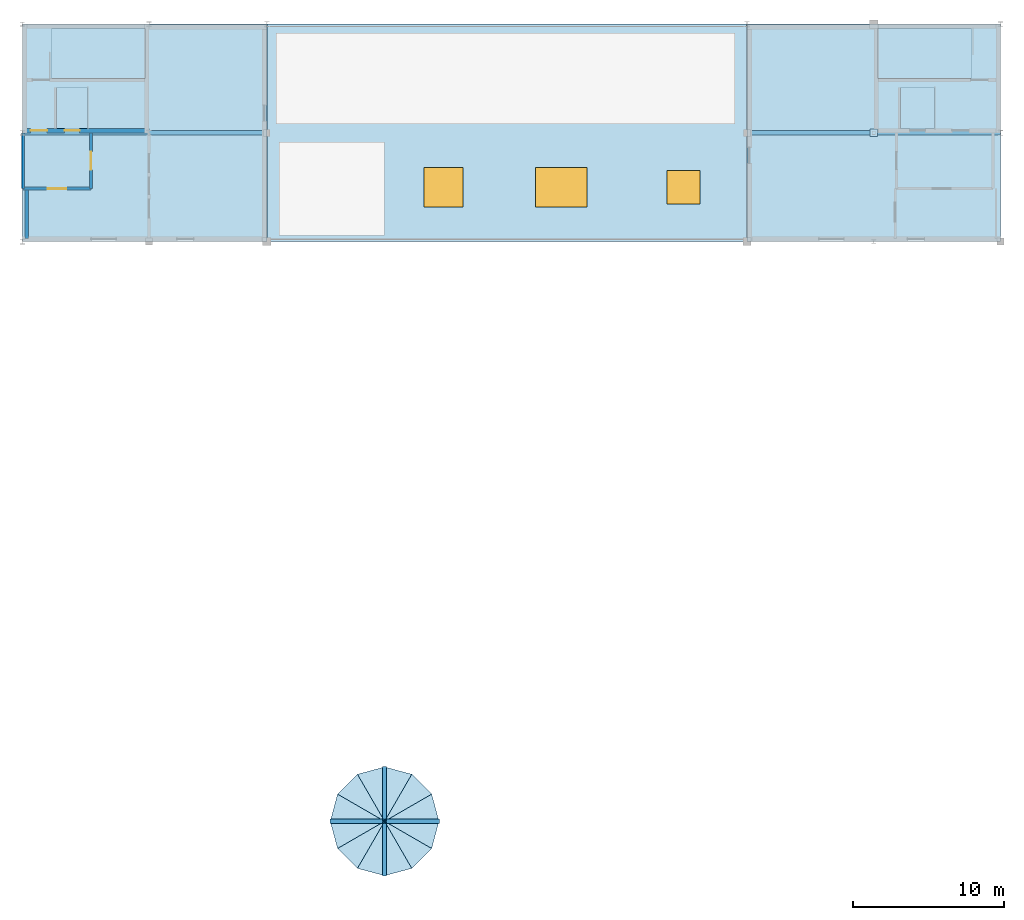
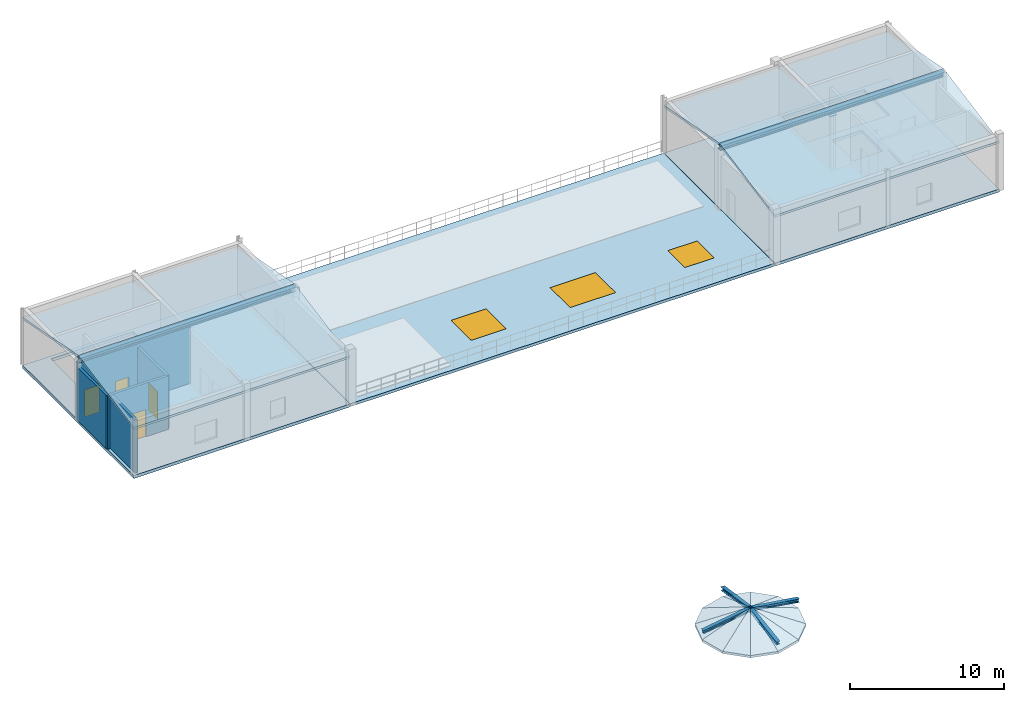
# One storey, part 3 of 5: 19 slabs, 5 walls, 4 doors, 4 members, 3 windows, 2 beams, 1 plate, 7 openings.
"""IFC4 building model written with IfcOpenShell, lengths in metres."""

from ifc_helpers import new_model, si_unit, derived_unit, direction, frame, frame_2d, origin, origin_2d, place, context, subcontext, project, spatial, polyline, rectangle, i_section, outline, extrude, polygons, material, layer, layer_set, material_profile, profile_set, type_object, element, fill, save


model = new_model("IFC4")

# Units and contexts
model_context = context("Model", 3, precision=1e-05, world=origin(), true_north=direction((0.0, 1.0)))
body_context = subcontext(model_context, "Body", "Model", "MODEL_VIEW")
ifc_project = project(units=[si_unit("LENGTHUNIT", "METRE"), si_unit("AREAUNIT", "SQUARE_METRE"), si_unit("VOLUMEUNIT", "CUBIC_METRE"), si_unit("PLANEANGLEUNIT", "RADIAN"), si_unit("MASSUNIT", "GRAM", prefix="KILO"), derived_unit("THERMALTRANSMITTANCEUNIT", [(si_unit("POWERUNIT", "WATT"), 1), (si_unit("AREAUNIT", "SQUARE_METRE"), -1), (si_unit("THERMODYNAMICTEMPERATUREUNIT", "KELVIN"), -1)])], contexts=[model_context])

# Site, building, storey
site_placement = place(None, origin())
site = spatial("IfcSite", under=ifc_project, at=site_placement, CompositionType="ELEMENT")
building_placement = place(site_placement, origin())
building = spatial("IfcBuilding", under=site, at=building_placement, Name="Yasenodar Specialist Clinic", CompositionType="ELEMENT")
storey_placement = place(building_placement, frame((0.0, 0.0, 29.39990234375)))
storey = spatial("IfcBuildingStorey", under=building, at=storey_placement, Name="RF", CompositionType="ELEMENT", Elevation=29.39990234375)

# Beams
ifc_material_1 = material(Name="Steel S355", Category="steel")
ifc_material_profile_1 = material_profile(ifc_material_1, i_section(OverallWidth=0.300048828125, OverallDepth=0.340087890625, WebThickness=0.011962890625, FlangeThickness=0.021484375, FilletRadius=0.027099609375, at=origin_2d()), Name="HEB 340")
ifc_profile_set_1 = profile_set([ifc_material_profile_1], Name="Steel S355")
beam_type = type_object("IfcBeamType", Name="BM-HEB340", PredefinedType="BEAM", material=ifc_profile_set_1)
beam_1_placement = place(storey_placement, frame((57.0, 104.39990234375, 4.800048828125), z_axis=(1.0, 0.0, 0.0), x_axis=(0.0, 1.0, 0.0)))
element("IfcBeam", 1, at=beam_1_placement, inside=storey, type_object=beam_type, Name="RF West Chhatri Ridge Girder", PredefinedType="BEAM", context=body_context, shape_type="SweptSolid", body=[
    extrude(i_section(OverallWidth=0.300048828125, OverallDepth=0.340087890625, WebThickness=0.011962890625, FlangeThickness=0.021484375, FilletRadius=0.027099609375, at=origin_2d()), origin(), (0.0, 0.0, 1.0), 16.199951171875),
])
beam_2_placement = place(storey_placement, frame((105.0, 104.39990234375, 4.800048828125), z_axis=(1.0, 0.0, 0.0), x_axis=(0.0, 1.0, 0.0)))
element("IfcBeam", 2, at=beam_2_placement, inside=storey, type_object=beam_type, Name="RF East Chhatri Ridge Girder", PredefinedType="BEAM", context=body_context, shape_type="SweptSolid", body=[
    extrude(i_section(OverallWidth=0.300048828125, OverallDepth=0.340087890625, WebThickness=0.011962890625, FlangeThickness=0.021484375, FilletRadius=0.027099609375, at=origin_2d()), origin(), (0.0, 0.0, 1.0), 16.800048828125),
])

# Members
ifc_material_profile_2 = material_profile(ifc_material_1, i_section(OverallWidth=0.280029296875, OverallDepth=0.27001953125, WebThickness=0.008056640625, FlangeThickness=0.012939453125, FilletRadius=0.02392578125, at=origin_2d()), Name="HEA 280")
ifc_profile_set_2 = profile_set([ifc_material_profile_2], Name="Steel S355")
member_type = type_object("IfcMemberType", Name="TR-CHD-HEA280", PredefinedType="CHORD", material=ifc_profile_set_2)
member_1_placement = place(storey_placement, frame((84.60009765625, 58.800048828125, 3.800048828125), z_axis=(-0.988528492606, 0.0, 0.151034497073), x_axis=(0.0, -1.0, 0.0)))
element("IfcMember", 3, at=member_1_placement, inside=storey, type_object=member_type, Name="Drum Chhatri Lantern Hip Rafter 01", PredefinedType="CHORD", context=body_context, shape_type="SweptSolid", body=[
    extrude(i_section(OverallWidth=0.280029296875, OverallDepth=0.27001953125, WebThickness=0.008056640625, FlangeThickness=0.012939453125, FilletRadius=0.02392578125, at=origin_2d()), origin(), (0.0, 0.0, 1.0), 3.641845703125),
])
member_2_placement = place(storey_placement, frame((81.0, 62.39990234375, 3.800048828125), z_axis=(0.0, -0.988526963243, 0.151044506489), x_axis=(1.0, 0.0, 0.0)))
element("IfcMember", 4, at=member_2_placement, inside=storey, type_object=member_type, Name="Drum Chhatri Lantern Hip Rafter 02", PredefinedType="CHORD", context=body_context, shape_type="SweptSolid", body=[
    extrude(i_section(OverallWidth=0.280029296875, OverallDepth=0.27001953125, WebThickness=0.008056640625, FlangeThickness=0.012939453125, FilletRadius=0.02392578125, at=origin_2d()), origin(), (0.0, 0.0, 1.0), 3.6416015625),
])
for number, where, z_axis, x_axis, name in (
    (5, (77.39990234375, 58.800048828125, 3.800048828125), (0.988528492606, 0.0, 0.151034497073), (0.0, 1.0, 0.0), "Drum Chhatri Lantern Hip Rafter 03"),
    (6, (81.0, 55.199951171875, 3.800048828125), (0.0, 0.988528492606, 0.151034497073), (-1.0, 0.0, 0.0), "Drum Chhatri Lantern Hip Rafter 04"),
):
    element("IfcMember", number, at=place(storey_placement, frame(where, z_axis=z_axis, x_axis=x_axis)), inside=storey, type_object=member_type, Name=name, PredefinedType="CHORD", context=body_context, shape_type="SweptSolid", body=[
        extrude(i_section(OverallWidth=0.280029296875, OverallDepth=0.27001953125, WebThickness=0.008056640625, FlangeThickness=0.012939453125, FilletRadius=0.02392578125, at=origin_2d()), origin(), (0.0, 0.0, 1.0), 3.641845703125),
    ])

# Plate
ifc_layer_1 = layer(ifc_material_1, 0.028076171875)
ifc_layer_set_1 = layer_set([ifc_layer_1], Name="Steel S355")
plate_type = type_object("IfcPlateType", Name="PL-STEEL-06", PredefinedType="USERDEFINED", material=ifc_layer_set_1)
plate_placement = place(storey_placement, frame((113.39990234375, 104.39990234375, 4.5), z_axis=(0.0, 0.0, 1.0), x_axis=(1.0, 0.0, 0.0)))
element("IfcPlate", 7, at=plate_placement, inside=storey, type_object=plate_type, Name="RF Hollow Column Top Cap Plate 018", ObjectType="CAP_PLATE", PredefinedType="USERDEFINED", context=body_context, shape_type="SweptSolid", body=[
    extrude(rectangle(XDim=0.47998046875, YDim=0.47998046875, at=origin_2d()), origin(), (0.0, 0.0, 1.0), 0.028076171875),
])

# Slabs
ifc_material_2 = material(Name="Concrete C30/37", Category="concrete")
ifc_layer_2 = layer(ifc_material_2, 0.239990234375)
ifc_layer_set_2 = layer_set([ifc_layer_2], Name="Concrete C30/37")
slab_type_1 = type_object("IfcSlabType", Name="SLB-FLR-240", PredefinedType="FLOOR", material=ifc_layer_set_2)
slab_1_placement = place(storey_placement, frame((0.0, 0.0, -0.239990234375)))
element("IfcSlab", 8, at=slab_1_placement, inside=storey, type_object=slab_type_1, Name="RF V5 structural slab", PredefinedType="FLOOR", context=body_context, shape_type="SweptSolid", body=[
    extrude(outline(polyline([(57.0, 97.199951171875), (73.199951171875, 97.199951171875), (73.199951171875, 111.60009765625), (57.0, 111.60009765625), (57.0, 97.199951171875)]), holes=[polyline([(58.9599609375, 108.010009765625), (65.1201171875, 108.010009765625), (65.1201171875, 111.31005859375), (58.9599609375, 111.31005859375), (58.9599609375, 108.010009765625)]), polyline([(59.300048828125, 104.699951171875), (61.300048828125, 104.699951171875), (61.300048828125, 107.39990234375), (59.300048828125, 107.39990234375), (59.300048828125, 104.699951171875)])]), origin(), (0.0, 0.0, 1.0), 0.239990234375),
])
slab_2_placement = place(storey_placement, frame((0.0, 0.0, -0.239990234375)))
element("IfcSlab", 9, at=slab_2_placement, inside=storey, type_object=slab_type_1, Name="RF V5 structural slab", PredefinedType="FLOOR", context=body_context, shape_type="SweptSolid", body=[
    extrude(outline(polyline([(105.0, 111.60009765625), (121.800048828125, 111.60009765625), (121.800048828125, 97.199951171875), (105.0, 97.199951171875), (105.0, 111.60009765625)]), holes=[polyline([(119.840087890625, 108.010009765625), (119.840087890625, 111.31005859375), (113.679931640625, 111.31005859375), (113.679931640625, 108.010009765625), (119.840087890625, 108.010009765625)]), polyline([(117.39990234375, 104.699951171875), (117.39990234375, 107.39990234375), (115.199951171875, 107.39990234375), (115.199951171875, 104.699951171875), (117.39990234375, 104.699951171875)])]), origin(), (0.0, 0.0, 1.0), 0.239990234375),
])
ifc_layer_3 = layer(ifc_material_2, 0.1650390625)
ifc_layer_set_3 = layer_set([ifc_layer_3], Name="Concrete C30/37")
slab_type_2 = type_object("IfcSlabType", Name="SLB-ROOF-165", PredefinedType="ROOF", material=ifc_layer_set_3)
slab_3_placement = place(storey_placement, origin())
element("IfcSlab", 10, at=slab_3_placement, inside=storey, type_object=slab_type_2, Name="Drum V1 Pitched Chhatri Lantern Facet 01", PredefinedType="ROOF", context=body_context, shape_type="Tessellation", body=[
    polygons([(84.60009765625, 58.800048828125, 3.150146484375), (84.11767578125, 60.60009765625, 3.150146484375), (81.0, 58.800048828125, 4.5), (84.60009765625, 58.800048828125, 2.9731510270611636), (84.11767578125, 60.60009765625, 2.9731510270611636), (81.0, 58.800048828125, 4.323004542686164)], [[[1, 2, 3]], [[6, 5, 4]], [[4, 5, 2, 1]], [[5, 6, 3, 2]], [[6, 4, 1, 3]]], closed=True),
])
slab_4_placement = place(storey_placement, origin())
element("IfcSlab", 11, at=slab_4_placement, inside=storey, type_object=slab_type_2, Name="Drum V1 Pitched Chhatri Lantern Facet 02", PredefinedType="ROOF", context=body_context, shape_type="Tessellation", body=[
    polygons([(84.11767578125, 60.60009765625, 3.150146484375), (82.800048828125, 61.917724609375, 3.150146484375), (81.0, 58.800048828125, 4.5), (84.11767578125, 60.60009765625, 2.973150877320535), (82.800048828125, 61.917724609375, 2.973150877320535), (81.0, 58.800048828125, 4.323004392945535)], [[[1, 2, 3]], [[6, 5, 4]], [[4, 5, 2, 1]], [[5, 6, 3, 2]], [[6, 4, 1, 3]]], closed=True),
])
slab_5_placement = place(storey_placement, origin())
element("IfcSlab", 12, at=slab_5_placement, inside=storey, type_object=slab_type_2, Name="Drum V1 Pitched Chhatri Lantern Facet 03", PredefinedType="ROOF", context=body_context, shape_type="Tessellation", body=[
    polygons([(82.800048828125, 61.917724609375, 3.150146484375), (81.0, 62.39990234375, 3.150146484375), (81.0, 58.800048828125, 4.5), (82.800048828125, 61.917724609375, 2.9731502410457935), (81.0, 62.39990234375, 2.9731502410457935), (81.0, 58.800048828125, 4.3230037566707935)], [[[1, 2, 3]], [[6, 5, 4]], [[4, 5, 2, 1]], [[5, 6, 3, 2]], [[6, 4, 1, 3]]], closed=True),
])
slab_6_placement = place(storey_placement, origin())
element("IfcSlab", 13, at=slab_6_placement, inside=storey, type_object=slab_type_2, Name="Drum V1 Pitched Chhatri Lantern Facet 04", PredefinedType="ROOF", context=body_context, shape_type="Tessellation", body=[
    polygons([(81.0, 62.39990234375, 3.150146484375), (79.199951171875, 61.917724609375, 3.150146484375), (81.0, 58.800048828125, 4.5), (81.0, 62.39990234375, 2.9731502410457935), (79.199951171875, 61.917724609375, 2.9731502410457935), (81.0, 58.800048828125, 4.3230037566707935)], [[[1, 2, 3]], [[6, 5, 4]], [[4, 5, 2, 1]], [[5, 6, 3, 2]], [[6, 4, 1, 3]]], closed=True),
])
slab_7_placement = place(storey_placement, origin())
element("IfcSlab", 14, at=slab_7_placement, inside=storey, type_object=slab_type_2, Name="Drum V1 Pitched Chhatri Lantern Facet 05", PredefinedType="ROOF", context=body_context, shape_type="Tessellation", body=[
    polygons([(79.199951171875, 61.917724609375, 3.150146484375), (77.88232421875, 60.60009765625, 3.150146484375), (81.0, 58.800048828125, 4.5), (79.199951171875, 61.917724609375, 2.973150877320535), (77.88232421875, 60.60009765625, 2.973150877320535), (81.0, 58.800048828125, 4.323004392945535)], [[[1, 2, 3]], [[6, 5, 4]], [[4, 5, 2, 1]], [[5, 6, 3, 2]], [[6, 4, 1, 3]]], closed=True),
])
slab_8_placement = place(storey_placement, origin())
element("IfcSlab", 15, at=slab_8_placement, inside=storey, type_object=slab_type_2, Name="Drum V1 Pitched Chhatri Lantern Facet 06", PredefinedType="ROOF", context=body_context, shape_type="Tessellation", body=[
    polygons([(77.88232421875, 60.60009765625, 3.150146484375), (77.39990234375, 58.800048828125, 3.150146484375), (81.0, 58.800048828125, 4.5), (77.88232421875, 60.60009765625, 2.9731510270611636), (77.39990234375, 58.800048828125, 2.9731510270611636), (81.0, 58.800048828125, 4.323004542686164)], [[[1, 2, 3]], [[6, 5, 4]], [[4, 5, 2, 1]], [[5, 6, 3, 2]], [[6, 4, 1, 3]]], closed=True),
])
slab_9_placement = place(storey_placement, origin())
element("IfcSlab", 16, at=slab_9_placement, inside=storey, type_object=slab_type_2, Name="Drum V1 Pitched Chhatri Lantern Facet 07", PredefinedType="ROOF", context=body_context, shape_type="Tessellation", body=[
    polygons([(77.39990234375, 58.800048828125, 3.150146484375), (77.88232421875, 57.0, 3.150146484375), (81.0, 58.800048828125, 4.5), (77.39990234375, 58.800048828125, 2.9731510270611636), (77.88232421875, 57.0, 2.9731510270611636), (81.0, 58.800048828125, 4.323004542686164)], [[[1, 2, 3]], [[6, 5, 4]], [[4, 5, 2, 1]], [[5, 6, 3, 2]], [[6, 4, 1, 3]]], closed=True),
])
slab_10_placement = place(storey_placement, origin())
element("IfcSlab", 17, at=slab_10_placement, inside=storey, type_object=slab_type_2, Name="Drum V1 Pitched Chhatri Lantern Facet 08", PredefinedType="ROOF", context=body_context, shape_type="Tessellation", body=[
    polygons([(77.88232421875, 57.0, 3.150146484375), (79.199951171875, 55.682373046875, 3.150146484375), (81.0, 58.800048828125, 4.5), (77.88232421875, 57.0, 2.973150877320535), (79.199951171875, 55.682373046875, 2.973150877320535), (81.0, 58.800048828125, 4.323004392945535)], [[[1, 2, 3]], [[6, 5, 4]], [[4, 5, 2, 1]], [[5, 6, 3, 2]], [[6, 4, 1, 3]]], closed=True),
])
slab_11_placement = place(storey_placement, origin())
element("IfcSlab", 18, at=slab_11_placement, inside=storey, type_object=slab_type_2, Name="Drum V1 Pitched Chhatri Lantern Facet 09", PredefinedType="ROOF", context=body_context, shape_type="Tessellation", body=[
    polygons([(79.199951171875, 55.682373046875, 3.150146484375), (81.0, 55.199951171875, 3.150146484375), (81.0, 58.800048828125, 4.5), (79.199951171875, 55.682373046875, 2.9731510270611636), (81.0, 55.199951171875, 2.9731510270611636), (81.0, 58.800048828125, 4.323004542686164)], [[[1, 2, 3]], [[6, 5, 4]], [[4, 5, 2, 1]], [[5, 6, 3, 2]], [[6, 4, 1, 3]]], closed=True),
])
slab_12_placement = place(storey_placement, origin())
element("IfcSlab", 19, at=slab_12_placement, inside=storey, type_object=slab_type_2, Name="Drum V1 Pitched Chhatri Lantern Facet 10", PredefinedType="ROOF", context=body_context, shape_type="Tessellation", body=[
    polygons([(81.0, 55.199951171875, 3.150146484375), (82.800048828125, 55.682373046875, 3.150146484375), (81.0, 58.800048828125, 4.5), (81.0, 55.199951171875, 2.9731510270611636), (82.800048828125, 55.682373046875, 2.9731510270611636), (81.0, 58.800048828125, 4.323004542686164)], [[[1, 2, 3]], [[6, 5, 4]], [[4, 5, 2, 1]], [[5, 6, 3, 2]], [[6, 4, 1, 3]]], closed=True),
])
slab_13_placement = place(storey_placement, origin())
element("IfcSlab", 20, at=slab_13_placement, inside=storey, type_object=slab_type_2, Name="Drum V1 Pitched Chhatri Lantern Facet 11", PredefinedType="ROOF", context=body_context, shape_type="Tessellation", body=[
    polygons([(82.800048828125, 55.682373046875, 3.150146484375), (84.11767578125, 57.0, 3.150146484375), (81.0, 58.800048828125, 4.5), (82.800048828125, 55.682373046875, 2.973150877320535), (84.11767578125, 57.0, 2.973150877320535), (81.0, 58.800048828125, 4.323004392945535)], [[[1, 2, 3]], [[6, 5, 4]], [[4, 5, 2, 1]], [[5, 6, 3, 2]], [[6, 4, 1, 3]]], closed=True),
])
slab_14_placement = place(storey_placement, origin())
element("IfcSlab", 21, at=slab_14_placement, inside=storey, type_object=slab_type_2, Name="Drum V1 Pitched Chhatri Lantern Facet 12", PredefinedType="ROOF", context=body_context, shape_type="Tessellation", body=[
    polygons([(84.11767578125, 57.0, 3.150146484375), (84.60009765625, 58.800048828125, 3.150146484375), (81.0, 58.800048828125, 4.5), (84.11767578125, 57.0, 2.9731510270611636), (84.60009765625, 58.800048828125, 2.9731510270611636), (81.0, 58.800048828125, 4.323004542686164)], [[[1, 2, 3]], [[6, 5, 4]], [[4, 5, 2, 1]], [[5, 6, 3, 2]], [[6, 4, 1, 3]]], closed=True),
])
ifc_layer_4 = layer(ifc_material_2, 0.179931640625)
ifc_layer_set_4 = layer_set([ifc_layer_4], Name="Concrete C30/37")
slab_type_3 = type_object("IfcSlabType", Name="SLB-ROOF-180", PredefinedType="ROOF", material=ifc_layer_set_4)
slab_15_placement = place(storey_placement, origin())
element("IfcSlab", 22, at=slab_15_placement, inside=storey, type_object=slab_type_3, Name="RF West Chhatri Pitched Roof S Slope", PredefinedType="ROOF", context=body_context, shape_type="Tessellation", body=[
    polygons([(57.0, 97.199951171875, 3.800048828125), (73.199951171875, 97.199951171875, 3.800048828125), (73.199951171875, 104.39990234375, 5.150146484375), (57.0, 104.39990234375, 5.150146484375), (57.0, 97.199951171875, 3.616911604293257), (73.199951171875, 97.199951171875, 3.616911604293257), (73.199951171875, 104.39990234375, 4.967009260543257), (57.0, 104.39990234375, 4.967009260543257)], [[[4, 1, 2]], [[2, 3, 4]], [[6, 5, 8]], [[8, 7, 6]], [[5, 6, 2, 1]], [[6, 7, 3, 2]], [[7, 8, 4, 3]], [[8, 5, 1, 4]]], closed=True),
])
slab_16_placement = place(storey_placement, origin())
element("IfcSlab", 23, at=slab_16_placement, inside=storey, type_object=slab_type_3, Name="RF West Chhatri Pitched Roof N Slope", PredefinedType="ROOF", context=body_context, shape_type="Tessellation", body=[
    polygons([(57.0, 104.39990234375, 5.150146484375), (73.199951171875, 104.39990234375, 5.150146484375), (73.199951171875, 111.60009765625, 3.800048828125), (57.0, 111.60009765625, 3.800048828125), (57.0, 104.39990234375, 4.96700947146838), (73.199951171875, 104.39990234375, 4.96700947146838), (73.199951171875, 111.60009765625, 3.61691181521838), (57.0, 111.60009765625, 3.61691181521838)], [[[4, 1, 2]], [[2, 3, 4]], [[6, 5, 8]], [[8, 7, 6]], [[5, 6, 2, 1]], [[6, 7, 3, 2]], [[7, 8, 4, 3]], [[8, 5, 1, 4]]], closed=True),
])
slab_17_placement = place(storey_placement, origin())
element("IfcSlab", 24, at=slab_17_placement, inside=storey, type_object=slab_type_3, Name="RF East Chhatri Pitched Roof S Slope", PredefinedType="ROOF", context=body_context, shape_type="Tessellation", body=[
    polygons([(105.0, 97.199951171875, 3.800048828125), (121.800048828125, 97.199951171875, 3.800048828125), (121.800048828125, 104.39990234375, 5.150146484375), (105.0, 104.39990234375, 5.150146484375), (105.0, 97.199951171875, 3.616911604293257), (121.800048828125, 97.199951171875, 3.616911604293257), (121.800048828125, 104.39990234375, 4.967009260543257), (105.0, 104.39990234375, 4.967009260543257)], [[[4, 1, 2]], [[2, 3, 4]], [[6, 5, 8]], [[8, 7, 6]], [[5, 6, 2, 1]], [[6, 7, 3, 2]], [[7, 8, 4, 3]], [[8, 5, 1, 4]]], closed=True),
])
slab_18_placement = place(storey_placement, origin())
element("IfcSlab", 25, at=slab_18_placement, inside=storey, type_object=slab_type_3, Name="RF East Chhatri Pitched Roof N Slope", PredefinedType="ROOF", context=body_context, shape_type="Tessellation", body=[
    polygons([(105.0, 104.39990234375, 5.150146484375), (121.800048828125, 104.39990234375, 5.150146484375), (121.800048828125, 111.60009765625, 3.800048828125), (105.0, 111.60009765625, 3.800048828125), (105.0, 104.39990234375, 4.96700947146838), (121.800048828125, 104.39990234375, 4.96700947146838), (121.800048828125, 111.60009765625, 3.61691181521838), (105.0, 111.60009765625, 3.61691181521838)], [[[4, 1, 2]], [[2, 3, 4]], [[6, 5, 8]], [[8, 7, 6]], [[5, 6, 2, 1]], [[6, 7, 3, 2]], [[7, 8, 4, 3]], [[8, 5, 1, 4]]], closed=True),
])

# Slab, openings, windows
ifc_layer_5 = layer(ifc_material_2, 0.22509765625)
ifc_layer_set_5 = layer_set([ifc_layer_5], Name="Concrete C30/37")
slab_type_4 = type_object("IfcSlabType", Name="SLB-ROOF-225", PredefinedType="ROOF", material=ifc_layer_set_5)
slab_19_placement = place(storey_placement, frame((0.0, 0.0, -0.224853515625)))
slab_19 = element("IfcSlab", 26, at=slab_19_placement, inside=storey, type_object=slab_type_4, Name="V5 Central Research Roof Slab", PredefinedType="ROOF", context=body_context, shape_type="SweptSolid", body=[
    extrude(outline(polyline([(73.215087890625, 97.199951171875), (73.215087890625, 111.60009765625), (104.985107421875, 111.60009765625), (104.985107421875, 97.199951171875), (73.215087890625, 97.199951171875)]), holes=[polyline([(86.199951171875, 99.5), (86.199951171875, 102.10009765625), (83.60009765625, 102.10009765625), (83.60009765625, 99.5), (86.199951171875, 99.5)]), polyline([(94.39990234375, 99.5), (94.39990234375, 102.10009765625), (91.0, 102.10009765625), (91.0, 99.5), (94.39990234375, 99.5)]), polyline([(101.89990234375, 99.699951171875), (101.89990234375, 101.89990234375), (99.699951171875, 101.89990234375), (99.699951171875, 99.699951171875), (101.89990234375, 99.699951171875)])]), origin(), (0.0, 0.0, 1.0), 0.224853515625),
])
opening_1_placement = place(slab_19_placement, frame((84.89990234375, 100.800048828125, -0.010009765625)))
opening_1 = element("IfcOpeningElement", 27, at=opening_1_placement, cuts=slab_19, Name="Opening SK-02", PredefinedType="OPENING", context=body_context, shape_type="SweptSolid", body=[
    extrude(rectangle(XDim=2.60009765625, YDim=2.60009765625, at=origin_2d()), origin(), (0.0, 0.0, 1.0), 0.244873046875),
])
opening_2_placement = place(slab_19_placement, frame((92.699951171875, 100.800048828125, -0.010009765625)))
opening_2 = element("IfcOpeningElement", 28, at=opening_2_placement, cuts=slab_19, Name="Opening SK-04", PredefinedType="OPENING", context=body_context, shape_type="SweptSolid", body=[
    extrude(rectangle(XDim=3.39990234375, YDim=2.60009765625, at=origin_2d()), origin(), (0.0, 0.0, 1.0), 0.244873046875),
])
opening_3_placement = place(slab_19_placement, frame((100.800048828125, 100.800048828125, -0.010009765625)))
opening_3 = element("IfcOpeningElement", 29, at=opening_3_placement, cuts=slab_19, Name="Opening SK-01", PredefinedType="OPENING", context=body_context, shape_type="SweptSolid", body=[
    extrude(rectangle(XDim=2.199951171875, YDim=2.199951171875, at=origin_2d()), origin(), (0.0, 0.0, 1.0), 0.244873046875),
])
ifc_material_3 = material(Name="Triple Laminated Low-E Skylight Glazing", Category="glass")
window_type_1 = type_object("IfcWindowType", Name="SKY-RF-01", PartitioningType="SINGLE_PANEL", PredefinedType="SKYLIGHT", material=ifc_material_3)
window_1_placement = place(slab_19_placement, frame((100.800048828125, 100.800048828125, 0.1748046875)))
window_1 = element("IfcWindow", 30, at=window_1_placement, inside=storey, type_object=window_type_1, Name="RF Triple-Glazed Roof Skylight 16", OverallHeight=2.199951171875, OverallWidth=2.199951171875, PartitioningType="SINGLE_PANEL", PredefinedType="SKYLIGHT", context=body_context, shape_type="SweptSolid", body=[
    extrude(rectangle(XDim=2.199951171875, YDim=2.199951171875, at=origin_2d()), origin(), (0.0, 0.0, 1.0), 0.050048828125),
])
fill(opening_3, window_1)
window_type_2 = type_object("IfcWindowType", Name="SKY-RF-02", PartitioningType="SINGLE_PANEL", PredefinedType="SKYLIGHT", material=ifc_material_3)
window_2_placement = place(slab_19_placement, frame((84.89990234375, 100.800048828125, 0.1748046875)))
window_2 = element("IfcWindow", 31, at=window_2_placement, inside=storey, type_object=window_type_2, Name="RF Triple-Glazed Roof Skylight 14", OverallHeight=2.60009765625, OverallWidth=2.60009765625, PartitioningType="SINGLE_PANEL", PredefinedType="SKYLIGHT", context=body_context, shape_type="SweptSolid", body=[
    extrude(rectangle(XDim=2.60009765625, YDim=2.60009765625, at=origin_2d()), origin(), (0.0, 0.0, 1.0), 0.050048828125),
])
fill(opening_1, window_2)
window_type_3 = type_object("IfcWindowType", Name="SKY-RF-04", PartitioningType="SINGLE_PANEL", PredefinedType="SKYLIGHT", material=ifc_material_3)
window_3_placement = place(slab_19_placement, frame((92.699951171875, 100.800048828125, 0.1748046875)))
window_3 = element("IfcWindow", 32, at=window_3_placement, inside=storey, type_object=window_type_3, Name="RF Triple-Glazed Roof Skylight 15", OverallHeight=2.60009765625, OverallWidth=3.39990234375, PartitioningType="SINGLE_PANEL", PredefinedType="SKYLIGHT", context=body_context, shape_type="SweptSolid", body=[
    extrude(rectangle(XDim=3.39990234375, YDim=2.60009765625, at=origin_2d()), origin(), (0.0, 0.0, 1.0), 0.050048828125),
])
fill(opening_2, window_3)

# Wall, opening, door
ifc_material_4 = material(Name="Fire-Rated Gypsum and Mineral-Wool Wall")
ifc_layer_6 = layer(ifc_material_4, 0.195068359375)
ifc_layer_set_6 = layer_set([ifc_layer_6], Name="Fire-Rated Gypsum and Mineral-Wool Wall")
wall_type_1 = type_object("IfcWallType", Name="IW-LOBBY-195", PredefinedType="PARTITIONING", material=ifc_layer_set_6)
wall_1_placement = place(storey_placement, frame((57.050048828125, 100.699951171875, 0.0), z_axis=(0.0, 0.0, 1.0), x_axis=(1.0, 0.0, 0.0)))
wall_1 = element("IfcWall", 33, at=wall_1_placement, inside=storey, type_object=wall_type_1, Name="RF C4 Firefighting Lobby South Wall", PredefinedType="PARTITIONING", context=body_context, shape_type="SweptSolid", body=[
    extrude(rectangle(XDim=4.5, YDim=0.195068359375, at=frame_2d((2.25, 0.0))), origin(), (0.0, 0.0, 1.0), 4.22998046875),
])
opening_4_placement = place(wall_1_placement, frame((1.64990234375, 0.0, 0.0)))
opening_4 = element("IfcOpeningElement", 34, at=opening_4_placement, cuts=wall_1, Name="Opening FD-02", PredefinedType="OPENING", context=body_context, shape_type="SweptSolid", body=[
    extrude(rectangle(XDim=1.199951171875, YDim=2.14990234375, at=frame_2d((0.60009765625, 1.074951171875))), frame((0.0, 0.107421875, 0.0), z_axis=(0.0, -1.0, 0.0), x_axis=(1.0, 0.0, 0.0)), (0.0, 0.0, 1.0), 0.215087890625),
])
ifc_material_5 = material(Name="Fire-Rated Insulated Steel Door", Category="steel")
door_type_1 = type_object("IfcDoorType", Name="DR-FD-120", OperationType="NOTDEFINED", PredefinedType="DOOR", material=ifc_material_5)
door_1_placement = place(opening_4_placement, origin())
door_1 = element("IfcDoor", 35, at=door_1_placement, inside=storey, type_object=door_type_1, Name="RF C4 Firefighting Lobby Door", OperationType="SINGLE_SWING_RIGHT", OverallHeight=2.14990234375, OverallWidth=1.199951171875, PredefinedType="DOOR", context=body_context, shape_type="SweptSolid", body=[
    extrude(rectangle(XDim=1.199951171875, YDim=2.14990234375, at=frame_2d((0.60009765625, 1.074951171875))), frame((0.0, 0.02490234375, 0.0), z_axis=(0.0, -1.0, 0.0), x_axis=(1.0, 0.0, 0.0)), (0.0, 0.0, 1.0), 0.050048828125),
])
fill(opening_4, door_1)

wall_2_placement = place(storey_placement, frame((61.550048828125, 100.699951171875, 0.0), z_axis=(0.0, 0.0, 1.0), x_axis=(0.0, 1.0, 0.0)))
wall_2 = element("IfcWall", 36, at=wall_2_placement, inside=storey, type_object=wall_type_1, Name="RF C4 Firefighting Lobby East Wall", PredefinedType="PARTITIONING", context=body_context, shape_type="SweptSolid", body=[
    extrude(rectangle(XDim=3.699951171875, YDim=0.195068359375, at=frame_2d((1.85009765625, 0.0))), origin(), (0.0, 0.0, 1.0), 4.22998046875),
])
opening_5_placement = place(wall_2_placement, frame((1.25, 0.0, 0.0)))
opening_5 = element("IfcOpeningElement", 37, at=opening_5_placement, cuts=wall_2, Name="Opening FD-02", PredefinedType="OPENING", context=body_context, shape_type="SweptSolid", body=[
    extrude(rectangle(XDim=1.199951171875, YDim=2.14990234375, at=frame_2d((0.60009765625, 1.074951171875))), frame((0.0, 0.107421875, 0.0), z_axis=(0.0, -1.0, 0.0), x_axis=(1.0, 0.0, 0.0)), (0.0, 0.0, 1.0), 0.215087890625),
])
door_2_placement = place(opening_5_placement, origin())
door_2 = element("IfcDoor", 38, at=door_2_placement, inside=storey, type_object=door_type_1, Name="RF Chilled Water Booster Pump Room Door", OperationType="SINGLE_SWING_RIGHT", OverallHeight=2.14990234375, OverallWidth=1.199951171875, PredefinedType="DOOR", context=body_context, shape_type="SweptSolid", body=[
    extrude(rectangle(XDim=1.199951171875, YDim=2.14990234375, at=frame_2d((0.60009765625, 1.074951171875))), frame((0.0, 0.02490234375, 0.0), z_axis=(0.0, -1.0, 0.0), x_axis=(1.0, 0.0, 0.0)), (0.0, 0.0, 1.0), 0.050048828125),
])
fill(opening_5, door_2)

# Walls
wall_3_placement = place(storey_placement, frame((57.050048828125, 100.699951171875, 0.0), z_axis=(0.0, 0.0, 1.0), x_axis=(0.0, 1.0, 0.0)))
element("IfcWall", 39, at=wall_3_placement, inside=storey, type_object=wall_type_1, Name="RF C4 Firefighting Lobby West Wall", PredefinedType="PARTITIONING", context=body_context, shape_type="SweptSolid", body=[
    extrude(rectangle(XDim=3.699951171875, YDim=0.195068359375, at=frame_2d((1.85009765625, 0.0))), origin(), (0.0, 0.0, 1.0), 4.22998046875),
])
ifc_material_6 = material(Name="Aerated Concrete Blockwork Fire Shaft Wall", Category="masonry")
ifc_layer_7 = layer(ifc_material_6, 0.205078125)
ifc_layer_set_7 = layer_set([ifc_layer_7], Name="Aerated Concrete Blockwork Fire Shaft Wall")
wall_type_2 = type_object("IfcWallType", Name="IW-SHAFT-205", PredefinedType="PARTITIONING", material=ifc_layer_set_7)
wall_4_placement = place(storey_placement, frame((57.300048828125, 97.39990234375, 0.0), z_axis=(0.0, 0.0, 1.0), x_axis=(0.0, 1.0, 0.0)))
element("IfcWall", 40, at=wall_4_placement, inside=storey, type_object=wall_type_2, Name="RF Smoke Extract Fan Room Partition", PredefinedType="PARTITIONING", context=body_context, shape_type="SweptSolid", body=[
    extrude(rectangle(XDim=3.2001953125, YDim=0.205078125, at=frame_2d((1.60009765625, 0.0))), origin(), (0.0, 0.0, 1.0), 4.22998046875),
])

# Wall, openings, doors
ifc_material_7 = material(Name="Concrete C35/45", Category="concrete")
ifc_layer_8 = layer(ifc_material_7, 0.300048828125)
ifc_layer_set_8 = layer_set([ifc_layer_8], Name="Concrete C35/45")
wall_type_3 = type_object("IfcWallType", Name="WL-CORE-300", PredefinedType="SHEAR", material=ifc_layer_set_8)
wall_5_placement = place(storey_placement, frame((57.0, 104.550048828125, 0.0), z_axis=(0.0, 0.0, 1.0), x_axis=(1.0, 0.0, 0.0)))
wall_5 = element("IfcWall", 41, at=wall_5_placement, inside=storey, type_object=wall_type_3, Name="RF Core C4 South Shear Wall", PredefinedType="SHEAR", context=body_context, shape_type="SweptSolid", body=[
    extrude(rectangle(XDim=8.39990234375, YDim=0.300048828125, at=frame_2d((4.199951171875, 0.0))), origin(), (0.0, 0.0, 1.0), 4.5),
])
opening_6_placement = place(wall_5_placement, frame((0.550048828125, 0.0, 0.0)))
opening_6 = element("IfcOpeningElement", 42, at=opening_6_placement, cuts=wall_5, Name="Opening FD-01", PredefinedType="OPENING", context=body_context, shape_type="SweptSolid", body=[
    extrude(rectangle(XDim=1.10009765625, YDim=2.14990234375, at=frame_2d((0.550048828125, 1.074951171875))), frame((0.0, 0.16015625, 0.0), z_axis=(0.0, -1.0, 0.0), x_axis=(1.0, 0.0, 0.0)), (0.0, 0.0, 1.0), 0.320068359375),
])
opening_7_placement = place(wall_5_placement, frame((2.800048828125, 0.0, 0.0)))
opening_7 = element("IfcOpeningElement", 43, at=opening_7_placement, cuts=wall_5, Name="Opening LD-01", PredefinedType="OPENING", context=body_context, shape_type="SweptSolid", body=[
    extrude(rectangle(XDim=1.0, YDim=2.10009765625, at=frame_2d((0.5, 1.050048828125))), frame((0.0, 0.16015625, 0.0), z_axis=(0.0, -1.0, 0.0), x_axis=(1.0, 0.0, 0.0)), (0.0, 0.0, 1.0), 0.320068359375),
])
door_type_2 = type_object("IfcDoorType", Name="DR-FD-110", OperationType="NOTDEFINED", PredefinedType="DOOR", material=ifc_material_5)
door_3_placement = place(opening_6_placement, origin())
door_3 = element("IfcDoor", 44, at=door_3_placement, inside=storey, type_object=door_type_2, Name="RF Stair ST-04 Vestibule Door", OperationType="SINGLE_SWING_LEFT", OverallHeight=2.14990234375, OverallWidth=1.10009765625, PredefinedType="DOOR", context=body_context, shape_type="SweptSolid", body=[
    extrude(rectangle(XDim=1.10009765625, YDim=2.14990234375, at=frame_2d((0.550048828125, 1.074951171875))), frame((0.0, 0.02490234375, 0.0), z_axis=(0.0, -1.0, 0.0), x_axis=(1.0, 0.0, 0.0)), (0.0, 0.0, 1.0), 0.050048828125),
])
fill(opening_6, door_3)
door_type_3 = type_object("IfcDoorType", Name="DR-LD-100", OperationType="DOUBLE_DOOR_SLIDING", PredefinedType="DOOR", material=ifc_material_5)
door_4_placement = place(opening_7_placement, origin())
door_4 = element("IfcDoor", 45, at=door_4_placement, inside=storey, type_object=door_type_3, Name="RF LF-02 Lift Landing Door", OperationType="DOUBLE_DOOR_SLIDING", OverallHeight=2.10009765625, OverallWidth=1.0, PredefinedType="DOOR", context=body_context, shape_type="SweptSolid", body=[
    extrude(rectangle(XDim=1.0, YDim=2.10009765625, at=frame_2d((0.5, 1.050048828125))), frame((0.0, 0.02490234375, 0.0), z_axis=(0.0, -1.0, 0.0), x_axis=(1.0, 0.0, 0.0)), (0.0, 0.0, 1.0), 0.050048828125),
])
fill(opening_7, door_4)

save(model, "model.ifc")
